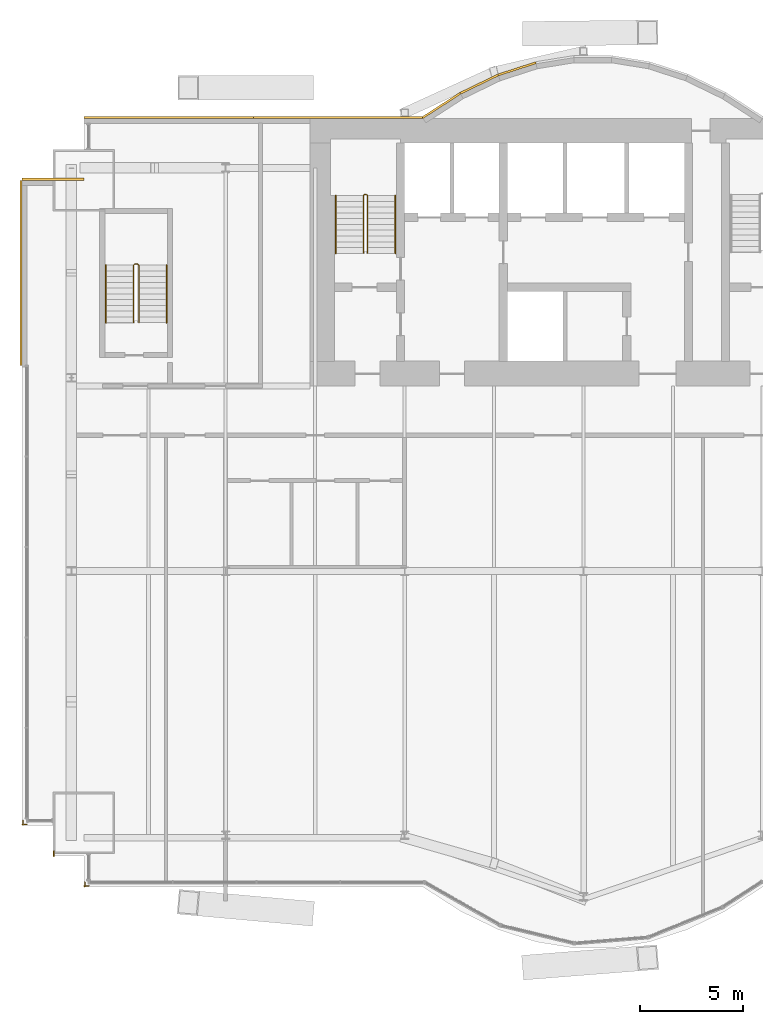
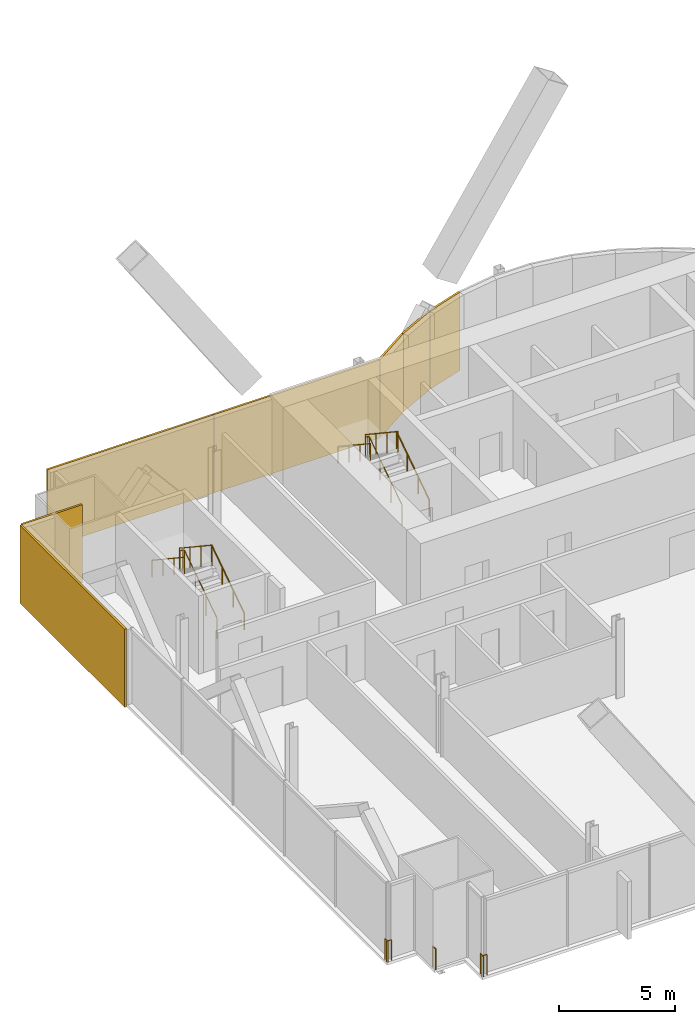
# One storey, part 19 of 21: 9 railings, 7 coverings.
"""IFC4 building model written with IfcOpenShell, lengths in metres."""

from ifc_helpers import new_model, si_unit, direction, frame, origin, origin_2d, place, context, subcontext, project, spatial, rectangle, circle, extrude, material, layer, layer_set, type_object, element, save


model = new_model("IFC4")

# Units and contexts
model_context = context("Model", 3, precision=1e-05, world=origin(), true_north=direction((0.0, 1.0)))
body_context = subcontext(model_context, "Body", "Model", "MODEL_VIEW")
ifc_project = project(units=[si_unit("LENGTHUNIT", "METRE"), si_unit("AREAUNIT", "SQUARE_METRE"), si_unit("VOLUMEUNIT", "CUBIC_METRE"), si_unit("PLANEANGLEUNIT", "RADIAN"), si_unit("MASSUNIT", "GRAM", prefix="KILO")], contexts=[model_context])

# Site, building, storey
site_placement = place(None, origin())
site = spatial("IfcSite", under=ifc_project, at=site_placement, CompositionType="ELEMENT")
building_placement = place(site_placement, origin())
building = spatial("IfcBuilding", under=site, at=building_placement, Name="Bicima Exchange Tower", CompositionType="ELEMENT")
storey_placement = place(building_placement, frame((0.0, 0.0, 118.60009765625)))
storey = spatial("IfcBuildingStorey", under=building, at=storey_placement, Name="L25", CompositionType="ELEMENT", Elevation=118.60009765625)

# Coverings
ifc_material_1 = material(Name="Bronze metal cladding")
ifc_layer_1 = layer(ifc_material_1, 0.004)
ifc_material_2 = material(Name="Ventilated cavity")
ifc_layer_2 = layer(ifc_material_2, 0.06)
ifc_material_3 = material(Name="Galvanised steel rail and mineral wool", Category="steel")
ifc_layer_3 = layer(ifc_material_3, 0.036)
ifc_layer_set = layer_set([ifc_layer_1, ifc_layer_2, ifc_layer_3], Name="Ventilated cavity")
covering_type = type_object("IfcCoveringType", Name="Bronze metal cladding panel 100", PredefinedType="CLADDING", material=ifc_layer_set)
covering_1_placement = place(storey_placement, frame((-11.931884765625, 2.41796875, -0.150146484375), z_axis=(0.0, 0.0, 1.0), x_axis=(-0.951524642381, -0.307572519808, 0.0)))
element("IfcCovering", 1, at=covering_1_placement, inside=storey, type_object=covering_type, Name="Bronze cladding L25 17.1", PredefinedType="CLADDING", context=body_context, shape_type="SweptSolid", body=[
    extrude(rectangle(XDim=1.9267578125, YDim=0.10009765625, at=origin_2d()), origin(), (0.0, 0.0, 1.0), 4.10009765625),
])
covering_2_placement = place(storey_placement, frame((-13.771728515625, 1.674560546875, -0.150146484375), z_axis=(0.0, 0.0, 1.0), x_axis=(-0.899818346812, -0.436264762204, 0.0)))
element("IfcCovering", 2, at=covering_2_placement, inside=storey, type_object=covering_type, Name="Bronze cladding L25 18.1", PredefinedType="CLADDING", context=body_context, shape_type="SweptSolid", body=[
    extrude(rectangle(XDim=2.03759765625, YDim=0.10009765625, at=origin_2d()), origin(), (0.0, 0.0, 1.0), 4.10009765625),
])
covering_3_placement = place(storey_placement, frame((-15.610595703125, 0.634521484375, -0.150146484375), z_axis=(0.0, 0.0, 1.0), x_axis=(-0.839790466384, -0.542910648791, 0.0)))
element("IfcCovering", 3, at=covering_3_placement, inside=storey, type_object=covering_type, Name="Bronze cladding L25 19.1", PredefinedType="CLADDING", context=body_context, shape_type="SweptSolid", body=[
    extrude(rectangle(XDim=2.18310546875, YDim=0.10009765625, at=origin_2d()), origin(), (0.0, 0.0, 1.0), 4.10009765625),
])
for number, where, z_axis, x_axis, name in (
    (4, (-20.625, 0.050048828125, -0.150146484375), (0.0, 0.0, 1.0), (-1.0, 0.0, 0.0), "Bronze cladding L25 20.1"),
    (5, (-28.875, 0.050048828125, -0.150146484375), (0.0, 0.0, 1.0), (-1.0, 0.0, 0.0), "Bronze cladding L25 20.2"),
):
    element("IfcCovering", number, at=place(storey_placement, frame(where, z_axis=z_axis, x_axis=x_axis)), inside=storey, type_object=covering_type, Name=name, PredefinedType="CLADDING", context=body_context, shape_type="SweptSolid", body=[
        extrude(rectangle(XDim=8.25, YDim=0.10009765625, at=origin_2d()), origin(), (0.0, 0.0, 1.0), 4.10009765625),
    ])
covering_4_placement = place(storey_placement, frame((-34.5, -2.949951171875, -0.150146484375), z_axis=(0.0, 0.0, 1.0), x_axis=(-1.0, 0.0, 0.0)))
element("IfcCovering", 6, at=covering_4_placement, inside=storey, type_object=covering_type, Name="Bronze cladding L25 22.1", PredefinedType="CLADDING", context=body_context, shape_type="SweptSolid", body=[
    extrude(rectangle(XDim=3.0, YDim=0.10009765625, at=origin_2d()), origin(), (0.0, 0.0, 1.0), 4.10009765625),
])
covering_5_placement = place(storey_placement, frame((-36.050048828125, -7.5, -0.150146484375), z_axis=(0.0, 0.0, 1.0), x_axis=(0.0, -1.0, 0.0)))
element("IfcCovering", 7, at=covering_5_placement, inside=storey, type_object=covering_type, Name="Bronze cladding L25 23.1", PredefinedType="CLADDING", context=body_context, shape_type="SweptSolid", body=[
    extrude(rectangle(XDim=9.0, YDim=0.10009765625, at=origin_2d()), origin(), (0.0, 0.0, 1.0), 4.10009765625),
])

# Railings
ifc_material_4 = material(Name="Stainless steel and bonded safety glass", Category="steel")
railing_type_1 = type_object("IfcRailingType", Name="Edge guard 1100", PredefinedType="GUARDRAIL", material=ifc_material_4)
railing_1_placement = place(storey_placement, frame((-35.75, -34.31396484375, 0.0)))
element("IfcRailing", 8, at=railing_1_placement, inside=storey, type_object=railing_type_1, Name="Edge guard L25 121", PredefinedType="GUARDRAIL", context=body_context, shape_type="SweptSolid", body=[
    extrude(circle(Radius=0.02392578125, at=origin_2d()), frame((0.0, 0.0, 1.076171875), z_axis=(-1.0, 0.0, 0.0), x_axis=(0.0, -1.0, 0.0)), (0.0, 0.0, 1.0), 0.25),
    extrude(circle(Radius=0.02392578125, at=origin_2d()), frame((-0.25, 0.0, 1.076171875), z_axis=(0.707106781187, -0.707106781187, 0.0), x_axis=(0.707106781187, 0.707106781187, 0.0)), (0.0, 0.0, 1.0), 0.07080078125),
    extrude(circle(Radius=0.02392578125, at=origin_2d()), frame((-0.199951171875, -0.050048828125, 1.076171875), z_axis=(0.0, 1.0, 0.0), x_axis=(-1.0, 0.0, 0.0)), (0.0, 0.0, 1.0), 0.2490234375),
    extrude(circle(Radius=0.02099609375, at=origin_2d()), origin(), (0.0, 0.0, 1.0), 1.052001953125),
    extrude(circle(Radius=0.02099609375, at=origin_2d()), frame((-0.25, 0.0, 0.0)), (0.0, 0.0, 1.0), 1.052001953125),
    extrude(circle(Radius=0.02099609375, at=origin_2d()), frame((-0.199951171875, -0.050048828125, 0.0)), (0.0, 0.0, 1.0), 1.052001953125),
    extrude(circle(Radius=0.02099609375, at=origin_2d()), frame((-0.199951171875, 0.198974609375, 0.0)), (0.0, 0.0, 1.0), 1.052001953125),
])
railing_2_placement = place(storey_placement, frame((-32.75, -37.31396484375, 0.0)))
element("IfcRailing", 9, at=railing_2_placement, inside=storey, type_object=railing_type_1, Name="Edge guard L25 125", PredefinedType="GUARDRAIL", context=body_context, shape_type="SweptSolid", body=[
    extrude(circle(Radius=0.02392578125, at=origin_2d()), frame((0.0, 0.0, 1.076171875), z_axis=(-1.0, 0.0, 0.0), x_axis=(0.0, -1.0, 0.0)), (0.0, 0.0, 1.0), 0.25),
    extrude(circle(Radius=0.02392578125, at=origin_2d()), frame((-0.25, 0.0, 1.076171875), z_axis=(0.707106781187, -0.707106781187, 0.0), x_axis=(0.707106781187, 0.707106781187, 0.0)), (0.0, 0.0, 1.0), 0.07080078125),
    extrude(circle(Radius=0.02392578125, at=origin_2d()), frame((-0.199951171875, -0.050048828125, 1.076171875), z_axis=(0.0, 1.0, 0.0), x_axis=(-1.0, 0.0, 0.0)), (0.0, 0.0, 1.0), 0.25),
    extrude(circle(Radius=0.02099609375, at=origin_2d()), origin(), (0.0, 0.0, 1.0), 1.052001953125),
    extrude(circle(Radius=0.02099609375, at=origin_2d()), frame((-0.25, 0.0, 0.0)), (0.0, 0.0, 1.0), 1.052001953125),
    extrude(circle(Radius=0.02099609375, at=origin_2d()), frame((-0.199951171875, -0.050048828125, 0.0)), (0.0, 0.0, 1.0), 1.052001953125),
    extrude(circle(Radius=0.02099609375, at=origin_2d()), frame((-0.199951171875, 0.199951171875, 0.0)), (0.0, 0.0, 1.0), 1.052001953125),
])
railing_3_placement = place(storey_placement, frame((-34.449951171875, -35.864013671875, 0.0)))
element("IfcRailing", 10, at=railing_3_placement, inside=storey, type_object=railing_type_1, Name="Edge guard L25 126", PredefinedType="GUARDRAIL", context=body_context, shape_type="SweptSolid", body=[
    extrude(circle(Radius=0.02392578125, at=origin_2d()), frame((0.0, 0.0, 1.076171875), z_axis=(0.0, 1.0, 0.0), x_axis=(-1.0, 0.0, 0.0)), (0.0, 0.0, 1.0), 0.25),
    extrude(circle(Radius=0.02099609375, at=origin_2d()), origin(), (0.0, 0.0, 1.0), 1.052001953125),
    extrude(circle(Radius=0.02099609375, at=origin_2d()), frame((0.0, 0.25, 0.0)), (0.0, 0.0, 1.0), 1.052001953125),
])
ifc_material_5 = material(Name="Stainless steel", Category="steel")
railing_type_2 = type_object("IfcRailingType", Name="Stair guard 1100", PredefinedType="GUARDRAIL", material=ifc_material_5)
railing_4_placement = place(storey_placement, frame((-19.199951171875, -6.550048828125, 0.186279296875)))
element("IfcRailing", 11, at=railing_4_placement, inside=storey, type_object=railing_type_2, Name="L25 ST-W stair guard 1", PredefinedType="GUARDRAIL", context=body_context, shape_type="SweptSolid", body=[
    extrude(circle(Radius=0.02392578125, at=origin_2d()), frame((0.0, 0.0, 1.076171875), z_axis=(0.0, 0.832485552168, 0.554046753832), x_axis=(-1.0, 0.0, 0.0)), (0.0, 0.0, 1.0), 3.363525390625),
    extrude(circle(Radius=0.02392578125, at=origin_2d()), frame((0.0, 2.800048828125, 2.939453125), z_axis=(-0.707106781187, 0.707106781187, 0.0), x_axis=(-0.707106781187, -0.707106781187, 0.0)), (0.0, 0.0, 1.0), 0.07080078125),
    extrude(circle(Radius=0.02392578125, at=origin_2d()), frame((-0.050048828125, 2.85009765625, 2.939453125), z_axis=(-1.0, 0.0, 0.0), x_axis=(0.0, -1.0, 0.0)), (0.0, 0.0, 1.0), 0.10009765625),
    extrude(circle(Radius=0.02392578125, at=origin_2d()), frame((-0.150146484375, 2.85009765625, 2.939453125), z_axis=(-0.249722437352, -0.250946566947, 0.935235010476), x_axis=(0.708833529934, -0.705375805398, 0.0)), (0.0, 0.0, 1.0), 0.199462890625),
    extrude(circle(Radius=0.02392578125, at=origin_2d()), frame((-0.199951171875, 2.800048828125, 3.1259765625), z_axis=(0.0, -0.832485552168, 0.554046753832), x_axis=(1.0, 0.0, 0.0)), (0.0, 0.0, 1.0), 3.363525390625),
    extrude(circle(Radius=0.02099609375, at=origin_2d()), origin(), (0.0, 0.0, 1.0), 1.052001953125),
    extrude(circle(Radius=0.02099609375, at=origin_2d()), frame((0.0, 0.933349609375, 0.62109375)), (0.0, 0.0, 1.0), 1.052001953125),
    extrude(circle(Radius=0.02099609375, at=origin_2d()), frame((0.0, 1.86669921875, 1.242431640625)), (0.0, 0.0, 1.0), 1.052001953125),
    extrude(circle(Radius=0.02099609375, at=origin_2d()), frame((0.0, 2.800048828125, 1.863525390625)), (0.0, 0.0, 1.0), 1.052001953125),
    extrude(circle(Radius=0.02099609375, at=origin_2d()), frame((-0.050048828125, 2.85009765625, 1.863525390625)), (0.0, 0.0, 1.0), 1.052001953125),
    extrude(circle(Radius=0.02099609375, at=origin_2d()), frame((-0.150146484375, 2.85009765625, 1.863525390625)), (0.0, 0.0, 1.0), 1.052001953125),
    extrude(circle(Radius=0.02099609375, at=origin_2d()), frame((-0.199951171875, 2.800048828125, 2.050048828125)), (0.0, 0.0, 1.0), 1.052001953125),
    extrude(circle(Radius=0.02099609375, at=origin_2d()), frame((-0.199951171875, 1.86669921875, 2.671142578125)), (0.0, 0.0, 1.0), 1.052001953125),
    extrude(circle(Radius=0.02099609375, at=origin_2d()), frame((-0.199951171875, 0.933349609375, 3.29248046875)), (0.0, 0.0, 1.0), 1.052001953125),
    extrude(circle(Radius=0.02099609375, at=origin_2d()), frame((-0.199951171875, 0.0, 3.91357421875)), (0.0, 0.0, 1.0), 1.052001953125),
])
railing_5_placement = place(storey_placement, frame((-30.324951171875, -9.925048828125, 0.186279296875)))
element("IfcRailing", 12, at=railing_5_placement, inside=storey, type_object=railing_type_2, Name="L25 ST-WW stair guard 1", PredefinedType="GUARDRAIL", context=body_context, shape_type="SweptSolid", body=[
    extrude(circle(Radius=0.02392578125, at=origin_2d()), frame((0.0, 0.0, 1.076171875), z_axis=(0.0, 0.832485552168, 0.554046753832), x_axis=(-1.0, 0.0, 0.0)), (0.0, 0.0, 1.0), 3.363525390625),
    extrude(circle(Radius=0.02392578125, at=origin_2d()), frame((0.0, 2.800048828125, 2.939453125), z_axis=(-0.707106781187, 0.707106781187, 0.0), x_axis=(-0.707106781187, -0.707106781187, 0.0)), (0.0, 0.0, 1.0), 0.07080078125),
    extrude(circle(Radius=0.02392578125, at=origin_2d()), frame((-0.050048828125, 2.85009765625, 2.939453125), z_axis=(-1.0, 0.0, 0.0), x_axis=(0.0, -1.0, 0.0)), (0.0, 0.0, 1.0), 0.14990234375),
    extrude(circle(Radius=0.02392578125, at=origin_2d()), frame((-0.199951171875, 2.85009765625, 2.939453125), z_axis=(-0.250869701741, -0.250869701741, 0.934948546978), x_axis=(0.707106781187, -0.707106781187, 0.0)), (0.0, 0.0, 1.0), 0.199462890625),
    extrude(circle(Radius=0.02392578125, at=origin_2d()), frame((-0.25, 2.800048828125, 3.1259765625), z_axis=(0.0, -0.832485552168, 0.554046753832), x_axis=(1.0, 0.0, 0.0)), (0.0, 0.0, 1.0), 3.363525390625),
    extrude(circle(Radius=0.02099609375, at=origin_2d()), origin(), (0.0, 0.0, 1.0), 1.052001953125),
    extrude(circle(Radius=0.02099609375, at=origin_2d()), frame((0.0, 0.933349609375, 0.62109375)), (0.0, 0.0, 1.0), 1.052001953125),
    extrude(circle(Radius=0.02099609375, at=origin_2d()), frame((0.0, 1.86669921875, 1.242431640625)), (0.0, 0.0, 1.0), 1.052001953125),
    extrude(circle(Radius=0.02099609375, at=origin_2d()), frame((0.0, 2.800048828125, 1.863525390625)), (0.0, 0.0, 1.0), 1.052001953125),
    extrude(circle(Radius=0.02099609375, at=origin_2d()), frame((-0.050048828125, 2.85009765625, 1.863525390625)), (0.0, 0.0, 1.0), 1.052001953125),
    extrude(circle(Radius=0.02099609375, at=origin_2d()), frame((-0.199951171875, 2.85009765625, 1.863525390625)), (0.0, 0.0, 1.0), 1.052001953125),
    extrude(circle(Radius=0.02099609375, at=origin_2d()), frame((-0.25, 2.800048828125, 2.050048828125)), (0.0, 0.0, 1.0), 1.052001953125),
    extrude(circle(Radius=0.02099609375, at=origin_2d()), frame((-0.25, 1.86669921875, 2.671142578125)), (0.0, 0.0, 1.0), 1.052001953125),
    extrude(circle(Radius=0.02099609375, at=origin_2d()), frame((-0.25, 0.933349609375, 3.29248046875)), (0.0, 0.0, 1.0), 1.052001953125),
    extrude(circle(Radius=0.02099609375, at=origin_2d()), frame((-0.25, 0.0, 3.91357421875)), (0.0, 0.0, 1.0), 1.052001953125),
])
railing_type_3 = type_object("IfcRailingType", Name="Stair handrail 900", PredefinedType="HANDRAIL", material=ifc_material_5)
railing_6_placement = place(storey_placement, frame((-17.85009765625, -6.550048828125, 0.186279296875)))
element("IfcRailing", 13, at=railing_6_placement, inside=storey, type_object=railing_type_3, Name="L25 ST-W stair handrail 1", PredefinedType="HANDRAIL", context=body_context, shape_type="SweptSolid", body=[
    extrude(circle(Radius=0.02392578125, at=origin_2d()), frame((0.0, 0.0, 0.8759765625), z_axis=(0.0, 0.832485552168, 0.554046753832), x_axis=(-1.0, 0.0, 0.0)), (0.0, 0.0, 1.0), 3.363525390625),
    extrude(circle(Radius=0.02099609375, at=origin_2d()), origin(), (0.0, 0.0, 1.0), 0.851806640625),
    extrude(circle(Radius=0.02099609375, at=origin_2d()), frame((0.0, 0.933349609375, 0.62109375)), (0.0, 0.0, 1.0), 0.851806640625),
    extrude(circle(Radius=0.02099609375, at=origin_2d()), frame((0.0, 1.86669921875, 1.242431640625)), (0.0, 0.0, 1.0), 0.851806640625),
    extrude(circle(Radius=0.02099609375, at=origin_2d()), frame((0.0, 2.800048828125, 1.863525390625)), (0.0, 0.0, 1.0), 0.851806640625),
])
railing_7_placement = place(storey_placement, frame((-20.75, -3.75, 2.276611328125)))
element("IfcRailing", 14, at=railing_7_placement, inside=storey, type_object=railing_type_3, Name="L25 ST-W stair handrail 2", PredefinedType="HANDRAIL", context=body_context, shape_type="SweptSolid", body=[
    extrude(circle(Radius=0.02392578125, at=origin_2d()), frame((0.0, 0.0, 0.8759765625), z_axis=(0.0, -0.832452072856, 0.554097055034), x_axis=(1.0, 0.0, 0.0)), (0.0, 0.0, 1.0), 3.363525390625),
    extrude(circle(Radius=0.02099609375, at=origin_2d()), origin(), (0.0, 0.0, 1.0), 0.851806640625),
    extrude(circle(Radius=0.02099609375, at=origin_2d()), frame((0.0, -0.933349609375, 0.621337890625)), (0.0, 0.0, 1.0), 0.851806640625),
    extrude(circle(Radius=0.02099609375, at=origin_2d()), frame((0.0, -1.86669921875, 1.242431640625)), (0.0, 0.0, 1.0), 0.851806640625),
    extrude(circle(Radius=0.02099609375, at=origin_2d()), frame((0.0, -2.800048828125, 1.86376953125)), (0.0, 0.0, 1.0), 0.851806640625),
])
railing_8_placement = place(storey_placement, frame((-28.97509765625, -9.925048828125, 0.186279296875)))
element("IfcRailing", 15, at=railing_8_placement, inside=storey, type_object=railing_type_3, Name="L25 ST-WW stair handrail 1", PredefinedType="HANDRAIL", context=body_context, shape_type="SweptSolid", body=[
    extrude(circle(Radius=0.02392578125, at=origin_2d()), frame((0.0, 0.0, 0.8759765625), z_axis=(0.0, 0.832485552168, 0.554046753832), x_axis=(-1.0, 0.0, 0.0)), (0.0, 0.0, 1.0), 3.363525390625),
    extrude(circle(Radius=0.02099609375, at=origin_2d()), origin(), (0.0, 0.0, 1.0), 0.851806640625),
    extrude(circle(Radius=0.02099609375, at=origin_2d()), frame((0.0, 0.933349609375, 0.62109375)), (0.0, 0.0, 1.0), 0.851806640625),
    extrude(circle(Radius=0.02099609375, at=origin_2d()), frame((0.0, 1.86669921875, 1.242431640625)), (0.0, 0.0, 1.0), 0.851806640625),
    extrude(circle(Radius=0.02099609375, at=origin_2d()), frame((0.0, 2.800048828125, 1.863525390625)), (0.0, 0.0, 1.0), 0.851806640625),
])
railing_9_placement = place(storey_placement, frame((-31.925048828125, -7.125, 2.276611328125)))
element("IfcRailing", 16, at=railing_9_placement, inside=storey, type_object=railing_type_3, Name="L25 ST-WW stair handrail 2", PredefinedType="HANDRAIL", context=body_context, shape_type="SweptSolid", body=[
    extrude(circle(Radius=0.02392578125, at=origin_2d()), frame((0.0, 0.0, 0.8759765625), z_axis=(0.0, -0.832452072856, 0.554097055034), x_axis=(1.0, 0.0, 0.0)), (0.0, 0.0, 1.0), 3.363525390625),
    extrude(circle(Radius=0.02099609375, at=origin_2d()), origin(), (0.0, 0.0, 1.0), 0.851806640625),
    extrude(circle(Radius=0.02099609375, at=origin_2d()), frame((0.0, -0.933349609375, 0.621337890625)), (0.0, 0.0, 1.0), 0.851806640625),
    extrude(circle(Radius=0.02099609375, at=origin_2d()), frame((0.0, -1.86669921875, 1.242431640625)), (0.0, 0.0, 1.0), 0.851806640625),
    extrude(circle(Radius=0.02099609375, at=origin_2d()), frame((0.0, -2.800048828125, 1.86376953125)), (0.0, 0.0, 1.0), 0.851806640625),
])

save(model, "model.ifc")
